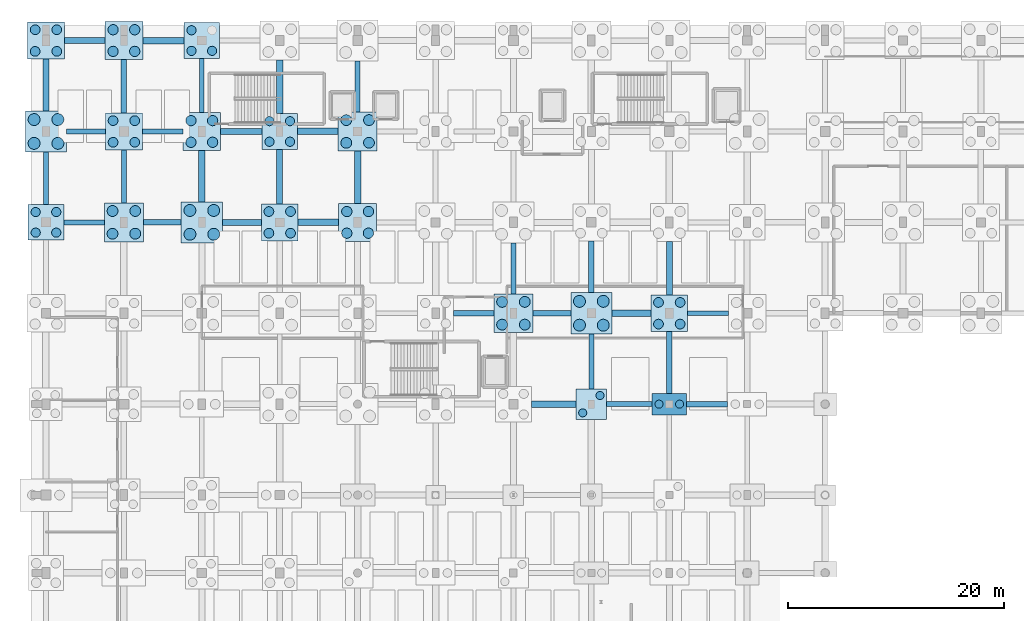
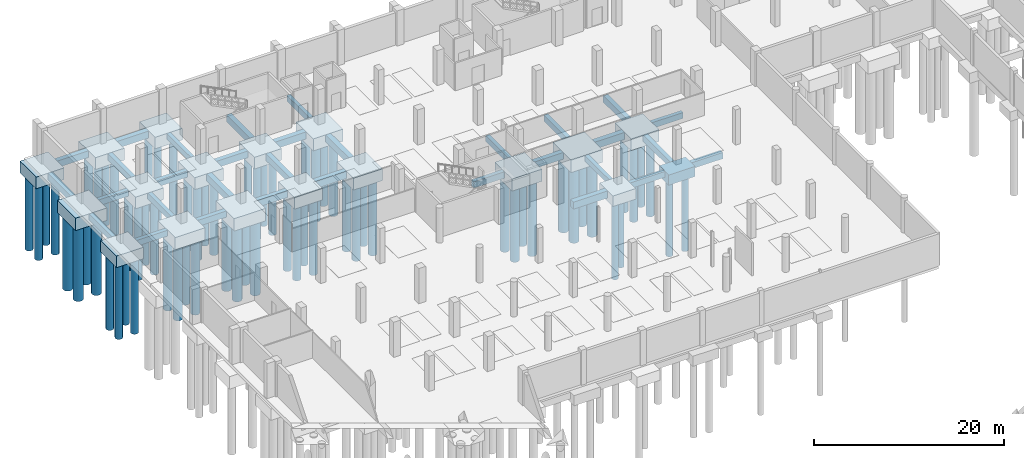
# One storey, part 8 of 35: 67 piles, 50 footings.
"""IFC4 building model written with IfcOpenShell, lengths in metres."""

from ifc_helpers import new_model, si_unit, direction, frame, origin, origin_2d, place, context, subcontext, project, spatial, rectangle, circle, extrude, material, material_profile, profile_set, type_object, element, save


model = new_model("IFC4")

# Units and contexts
model_context = context("Model", 3, precision=1e-05, world=origin(), true_north=direction((0.0, 1.0)))
body_context = subcontext(model_context, "Body", "Model", "MODEL_VIEW")
ifc_project = project(units=[si_unit("LENGTHUNIT", "METRE"), si_unit("AREAUNIT", "SQUARE_METRE"), si_unit("VOLUMEUNIT", "CUBIC_METRE"), si_unit("PLANEANGLEUNIT", "RADIAN"), si_unit("MASSUNIT", "GRAM", prefix="KILO")], contexts=[model_context])

# Site, building, storey
site_placement = place(None, origin())
site = spatial("IfcSite", under=ifc_project, at=site_placement, CompositionType="ELEMENT")
building_placement = place(site_placement, origin())
building = spatial("IfcBuilding", under=site, at=building_placement, Name="Kalluvel Institute of Natural Sciences", CompositionType="ELEMENT")
storey_placement = place(building_placement, frame((0.0, 0.0, -4.5)))
storey = spatial("IfcBuildingStorey", under=building, at=storey_placement, Name="B1", CompositionType="ELEMENT", Elevation=-4.5)

# Footings
ifc_material = material(Name="Concrete M40", Category="concrete")
footing_type_1 = type_object("IfcFootingType", Name="FB-450x750", PredefinedType="FOOTING_BEAM", material=ifc_material)
footing_1_placement = place(storey_placement, frame((67.89990234375, 94.39990234375, -1.199951171875), z_axis=(0.0, 0.0, 1.0), x_axis=(1.0, 0.0, 0.0)))
element("IfcFooting", 1, at=footing_1_placement, inside=storey, type_object=footing_type_1, Name="Foundation tie beam GB-X-108", PredefinedType="FOOTING_BEAM", context=body_context, shape_type="SweptSolid", body=[
    extrude(rectangle(XDim=4.199951171875, YDim=0.449951171875, at=origin_2d()), origin(), (0.0, 0.0, 1.0), 0.75),
])
for number, where, z_axis, x_axis, name in (
    (2, (75.175048828125, 102.800048828125, -1.199951171875), (0.0, 0.0, 1.0), (1.0, 0.0, 0.0), "Foundation tie beam GB-X-120"),
    (3, (17.52490234375, 111.199951171875, -1.199951171875), (0.0, 0.0, 1.0), (1.0, 0.0, 0.0), "Foundation tie beam GB-X-136"),
):
    element("IfcFooting", number, at=place(storey_placement, frame(where, z_axis=z_axis, x_axis=x_axis)), inside=storey, type_object=footing_type_1, Name=name, PredefinedType="FOOTING_BEAM", context=body_context, shape_type="SweptSolid", body=[
        extrude(rectangle(XDim=3.75, YDim=0.449951171875, at=origin_2d()), origin(), (0.0, 0.0, 1.0), 0.75),
    ])
footing_2_placement = place(storey_placement, frame((17.699951171875, 119.60009765625, -1.199951171875), z_axis=(0.0, 0.0, 1.0), x_axis=(1.0, 0.0, 0.0)))
element("IfcFooting", 4, at=footing_2_placement, inside=storey, type_object=footing_type_1, Name="Foundation tie beam GB-X-160", PredefinedType="FOOTING_BEAM", context=body_context, shape_type="SweptSolid", body=[
    extrude(rectangle(XDim=3.60009765625, YDim=0.449951171875, at=origin_2d()), origin(), (0.0, 0.0, 1.0), 0.75),
])
footing_3_placement = place(storey_placement, frame((21.199951171875, 115.449951171875, -1.199951171875), z_axis=(0.0, 0.0, 1.0), x_axis=(1.0, 0.0, 0.0)))
element("IfcFooting", 5, at=footing_3_placement, inside=storey, type_object=footing_type_1, Name="Foundation tie beam GB-Y-224", PredefinedType="FOOTING_BEAM", context=body_context, shape_type="SweptSolid", body=[
    extrude(rectangle(XDim=0.449951171875, YDim=4.89990234375, at=origin_2d()), origin(), (0.0, 0.0, 1.0), 0.75),
])
footing_4_placement = place(storey_placement, frame((28.39990234375, 123.85009765625, -1.199951171875), z_axis=(0.0, 0.0, 1.0), x_axis=(1.0, 0.0, 0.0)))
element("IfcFooting", 6, at=footing_4_placement, inside=storey, type_object=footing_type_1, Name="Foundation tie beam GB-Y-240", PredefinedType="FOOTING_BEAM", context=body_context, shape_type="SweptSolid", body=[
    extrude(rectangle(XDim=0.449951171875, YDim=5.0, at=origin_2d()), origin(), (0.0, 0.0, 1.0), 0.75),
])
for number, where, z_axis, x_axis, name in (
    (7, (42.800048828125, 123.75, -1.199951171875), (0.0, 0.0, 1.0), (1.0, 0.0, 0.0), "Foundation tie beam GB-Y-264"),
    (8, (57.199951171875, 106.949951171875, -1.199951171875), (0.0, 0.0, 1.0), (1.0, 0.0, 0.0), "Foundation tie beam GB-Y-280"),
):
    element("IfcFooting", number, at=place(storey_placement, frame(where, z_axis=z_axis, x_axis=x_axis)), inside=storey, type_object=footing_type_1, Name=name, PredefinedType="FOOTING_BEAM", context=body_context, shape_type="SweptSolid", body=[
        extrude(rectangle(XDim=0.449951171875, YDim=4.699951171875, at=origin_2d()), origin(), (0.0, 0.0, 1.0), 0.75),
    ])
footing_5_placement = place(storey_placement, frame((64.39990234375, 98.35009765625, -1.199951171875), z_axis=(0.0, 0.0, 1.0), x_axis=(1.0, 0.0, 0.0)))
element("IfcFooting", 9, at=footing_5_placement, inside=storey, type_object=footing_type_1, Name="Foundation tie beam GB-Y-288", PredefinedType="FOOTING_BEAM", context=body_context, shape_type="SweptSolid", body=[
    extrude(rectangle(XDim=0.449951171875, YDim=5.10009765625, at=origin_2d()), origin(), (0.0, 0.0, 1.0), 0.75),
])
footing_type_2 = type_object("IfcFootingType", Name="FB-500x800", PredefinedType="FOOTING_BEAM", material=ifc_material)
footing_6_placement = place(storey_placement, frame((75.10009765625, 94.39990234375, -1.25), z_axis=(0.0, 0.0, 1.0), x_axis=(1.0, 0.0, 0.0)))
element("IfcFooting", 10, at=footing_6_placement, inside=storey, type_object=footing_type_2, Name="Foundation tie beam GB-X-109", PredefinedType="FOOTING_BEAM", context=body_context, shape_type="SweptSolid", body=[
    extrude(rectangle(XDim=3.800048828125, YDim=0.5, at=origin_2d()), origin(), (0.0, 0.0, 1.0), 0.800048828125),
])
footing_7_placement = place(storey_placement, frame((53.52490234375, 102.800048828125, -1.25), z_axis=(0.0, 0.0, 1.0), x_axis=(1.0, 0.0, 0.0)))
element("IfcFooting", 11, at=footing_7_placement, inside=storey, type_object=footing_type_2, Name="Foundation tie beam GB-X-117", PredefinedType="FOOTING_BEAM", context=body_context, shape_type="SweptSolid", body=[
    extrude(rectangle(XDim=3.75, YDim=0.5, at=origin_2d()), origin(), (0.0, 0.0, 1.0), 0.800048828125),
])
footing_8_placement = place(storey_placement, frame((24.75, 111.199951171875, -1.25), z_axis=(0.0, 0.0, 1.0), x_axis=(1.0, 0.0, 0.0)))
element("IfcFooting", 12, at=footing_8_placement, inside=storey, type_object=footing_type_2, Name="Foundation tie beam GB-X-137", PredefinedType="FOOTING_BEAM", context=body_context, shape_type="SweptSolid", body=[
    extrude(rectangle(XDim=3.5, YDim=0.5, at=origin_2d()), origin(), (0.0, 0.0, 1.0), 0.800048828125),
])
footing_9_placement = place(storey_placement, frame((24.77490234375, 119.60009765625, -1.25), z_axis=(0.0, 0.0, 1.0), x_axis=(1.0, 0.0, 0.0)))
element("IfcFooting", 13, at=footing_9_placement, inside=storey, type_object=footing_type_2, Name="Foundation tie beam GB-X-161", PredefinedType="FOOTING_BEAM", context=body_context, shape_type="SweptSolid", body=[
    extrude(rectangle(XDim=3.75, YDim=0.5, at=origin_2d()), origin(), (0.0, 0.0, 1.0), 0.800048828125),
])
footing_10_placement = place(storey_placement, frame((14.0, 115.27490234375, -1.25), z_axis=(0.0, 0.0, 1.0), x_axis=(1.0, 0.0, 0.0)))
element("IfcFooting", 14, at=footing_10_placement, inside=storey, type_object=footing_type_2, Name="Foundation tie beam GB-Y-209", PredefinedType="FOOTING_BEAM", context=body_context, shape_type="SweptSolid", body=[
    extrude(rectangle(XDim=0.5, YDim=4.85009765625, at=origin_2d()), origin(), (0.0, 0.0, 1.0), 0.800048828125),
])
footing_11_placement = place(storey_placement, frame((21.199951171875, 123.77490234375, -1.25), z_axis=(0.0, 0.0, 1.0), x_axis=(1.0, 0.0, 0.0)))
element("IfcFooting", 15, at=footing_11_placement, inside=storey, type_object=footing_type_2, Name="Foundation tie beam GB-Y-225", PredefinedType="FOOTING_BEAM", context=body_context, shape_type="SweptSolid", body=[
    extrude(rectangle(XDim=0.5, YDim=4.949951171875, at=origin_2d()), origin(), (0.0, 0.0, 1.0), 0.800048828125),
])
footing_12_placement = place(storey_placement, frame((64.39990234375, 107.10009765625, -1.25), z_axis=(0.0, 0.0, 1.0), x_axis=(1.0, 0.0, 0.0)))
element("IfcFooting", 16, at=footing_12_placement, inside=storey, type_object=footing_type_2, Name="Foundation tie beam GB-Y-289", PredefinedType="FOOTING_BEAM", context=body_context, shape_type="SweptSolid", body=[
    extrude(rectangle(XDim=0.5, YDim=4.800048828125, at=origin_2d()), origin(), (0.0, 0.0, 1.0), 0.800048828125),
])
footing_13_placement = place(storey_placement, frame((71.60009765625, 98.25, -1.25), z_axis=(0.0, 0.0, 1.0), x_axis=(1.0, 0.0, 0.0)))
element("IfcFooting", 17, at=footing_13_placement, inside=storey, type_object=footing_type_2, Name="Foundation tie beam GB-Y-297", PredefinedType="FOOTING_BEAM", context=body_context, shape_type="SweptSolid", body=[
    extrude(rectangle(XDim=0.5, YDim=5.699951171875, at=origin_2d()), origin(), (0.0, 0.0, 1.0), 0.800048828125),
])
footing_type_3 = type_object("IfcFootingType", Name="FB-550x850", PredefinedType="FOOTING_BEAM", material=ifc_material)
footing_14_placement = place(storey_placement, frame((60.75, 102.800048828125, -1.300048828125), z_axis=(0.0, 0.0, 1.0), x_axis=(1.0, 0.0, 0.0)))
element("IfcFooting", 18, at=footing_14_placement, inside=storey, type_object=footing_type_3, Name="Foundation tie beam GB-X-118", PredefinedType="FOOTING_BEAM", context=body_context, shape_type="SweptSolid", body=[
    extrude(rectangle(XDim=3.5, YDim=0.550048828125, at=origin_2d()), origin(), (0.0, 0.0, 1.0), 0.85009765625),
])
footing_15_placement = place(storey_placement, frame((32.10009765625, 111.199951171875, -1.300048828125), z_axis=(0.0, 0.0, 1.0), x_axis=(1.0, 0.0, 0.0)))
element("IfcFooting", 19, at=footing_15_placement, inside=storey, type_object=footing_type_3, Name="Foundation tie beam GB-X-138", PredefinedType="FOOTING_BEAM", context=body_context, shape_type="SweptSolid", body=[
    extrude(rectangle(XDim=3.60009765625, YDim=0.550048828125, at=origin_2d()), origin(), (0.0, 0.0, 1.0), 0.85009765625),
])
footing_16_placement = place(storey_placement, frame((32.050048828125, 119.60009765625, -1.300048828125), z_axis=(0.0, 0.0, 1.0), x_axis=(1.0, 0.0, 0.0)))
element("IfcFooting", 20, at=footing_16_placement, inside=storey, type_object=footing_type_3, Name="Foundation tie beam GB-X-162", PredefinedType="FOOTING_BEAM", context=body_context, shape_type="SweptSolid", body=[
    extrude(rectangle(XDim=3.800048828125, YDim=0.550048828125, at=origin_2d()), origin(), (0.0, 0.0, 1.0), 0.85009765625),
])
footing_17_placement = place(storey_placement, frame((17.574951171875, 128.0, -1.300048828125), z_axis=(0.0, 0.0, 1.0), x_axis=(1.0, 0.0, 0.0)))
element("IfcFooting", 21, at=footing_17_placement, inside=storey, type_object=footing_type_3, Name="Foundation tie beam GB-X-182", PredefinedType="FOOTING_BEAM", context=body_context, shape_type="SweptSolid", body=[
    extrude(rectangle(XDim=3.75, YDim=0.550048828125, at=origin_2d()), origin(), (0.0, 0.0, 1.0), 0.85009765625),
])
footing_18_placement = place(storey_placement, frame((14.0, 123.89990234375, -1.300048828125), z_axis=(0.0, 0.0, 1.0), x_axis=(1.0, 0.0, 0.0)))
element("IfcFooting", 22, at=footing_18_placement, inside=storey, type_object=footing_type_3, Name="Foundation tie beam GB-Y-210", PredefinedType="FOOTING_BEAM", context=body_context, shape_type="SweptSolid", body=[
    extrude(rectangle(XDim=0.550048828125, YDim=4.800048828125, at=origin_2d()), origin(), (0.0, 0.0, 1.0), 0.85009765625),
])
footing_19_placement = place(storey_placement, frame((35.60009765625, 115.425048828125, -1.300048828125), z_axis=(0.0, 0.0, 1.0), x_axis=(1.0, 0.0, 0.0)))
element("IfcFooting", 23, at=footing_19_placement, inside=storey, type_object=footing_type_3, Name="Foundation tie beam GB-Y-254", PredefinedType="FOOTING_BEAM", context=body_context, shape_type="SweptSolid", body=[
    extrude(rectangle(XDim=0.550048828125, YDim=5.050048828125, at=origin_2d()), origin(), (0.0, 0.0, 1.0), 0.85009765625),
])
footing_20_placement = place(storey_placement, frame((71.60009765625, 106.97509765625, -1.300048828125), z_axis=(0.0, 0.0, 1.0), x_axis=(1.0, 0.0, 0.0)))
element("IfcFooting", 24, at=footing_20_placement, inside=storey, type_object=footing_type_3, Name="Foundation tie beam GB-Y-298", PredefinedType="FOOTING_BEAM", context=body_context, shape_type="SweptSolid", body=[
    extrude(rectangle(XDim=0.550048828125, YDim=4.949951171875, at=origin_2d()), origin(), (0.0, 0.0, 1.0), 0.85009765625),
])
footing_type_4 = type_object("IfcFootingType", Name="FB-600x900", PredefinedType="FOOTING_BEAM", material=ifc_material)
footing_21_placement = place(storey_placement, frame((60.925048828125, 94.39990234375, -1.349853515625), z_axis=(0.0, 0.0, 1.0), x_axis=(1.0, 0.0, 0.0)))
element("IfcFooting", 25, at=footing_21_placement, inside=storey, type_object=footing_type_4, Name="Foundation tie beam GB-X-107", PredefinedType="FOOTING_BEAM", context=body_context, shape_type="SweptSolid", body=[
    extrude(rectangle(XDim=4.14990234375, YDim=0.60009765625, at=origin_2d()), origin(), (0.0, 0.0, 1.0), 0.89990234375),
])
footing_22_placement = place(storey_placement, frame((68.10009765625, 102.800048828125, -1.349853515625), z_axis=(0.0, 0.0, 1.0), x_axis=(1.0, 0.0, 0.0)))
element("IfcFooting", 26, at=footing_22_placement, inside=storey, type_object=footing_type_4, Name="Foundation tie beam GB-X-119", PredefinedType="FOOTING_BEAM", context=body_context, shape_type="SweptSolid", body=[
    extrude(rectangle(XDim=3.60009765625, YDim=0.60009765625, at=origin_2d()), origin(), (0.0, 0.0, 1.0), 0.89990234375),
])
for number, where, z_axis, x_axis, name in (
    (27, (39.175048828125, 111.199951171875, -1.349853515625), (0.0, 0.0, 1.0), (1.0, 0.0, 0.0), "Foundation tie beam GB-X-139"),
    (28, (39.125, 119.60009765625, -1.349853515625), (0.0, 0.0, 1.0), (1.0, 0.0, 0.0), "Foundation tie beam GB-X-163"),
):
    element("IfcFooting", number, at=place(storey_placement, frame(where, z_axis=z_axis, x_axis=x_axis)), inside=storey, type_object=footing_type_4, Name=name, PredefinedType="FOOTING_BEAM", context=body_context, shape_type="SweptSolid", body=[
        extrude(rectangle(XDim=3.75, YDim=0.60009765625, at=origin_2d()), origin(), (0.0, 0.0, 1.0), 0.89990234375),
    ])
footing_23_placement = place(storey_placement, frame((24.85009765625, 128.0, -1.349853515625), z_axis=(0.0, 0.0, 1.0), x_axis=(1.0, 0.0, 0.0)))
element("IfcFooting", 29, at=footing_23_placement, inside=storey, type_object=footing_type_4, Name="Foundation tie beam GB-X-183", PredefinedType="FOOTING_BEAM", context=body_context, shape_type="SweptSolid", body=[
    extrude(rectangle(XDim=3.800048828125, YDim=0.60009765625, at=origin_2d()), origin(), (0.0, 0.0, 1.0), 0.89990234375),
])
footing_24_placement = place(storey_placement, frame((28.39990234375, 115.47509765625, -1.349853515625), z_axis=(0.0, 0.0, 1.0), x_axis=(1.0, 0.0, 0.0)))
element("IfcFooting", 30, at=footing_24_placement, inside=storey, type_object=footing_type_4, Name="Foundation tie beam GB-Y-239", PredefinedType="FOOTING_BEAM", context=body_context, shape_type="SweptSolid", body=[
    extrude(rectangle(XDim=0.60009765625, YDim=4.75, at=origin_2d()), origin(), (0.0, 0.0, 1.0), 0.89990234375),
])
footing_25_placement = place(storey_placement, frame((35.60009765625, 123.72509765625, -1.349853515625), z_axis=(0.0, 0.0, 1.0), x_axis=(1.0, 0.0, 0.0)))
element("IfcFooting", 31, at=footing_25_placement, inside=storey, type_object=footing_type_4, Name="Foundation tie beam GB-Y-255", PredefinedType="FOOTING_BEAM", context=body_context, shape_type="SweptSolid", body=[
    extrude(rectangle(XDim=0.60009765625, YDim=4.949951171875, at=origin_2d()), origin(), (0.0, 0.0, 1.0), 0.89990234375),
])
footing_26_placement = place(storey_placement, frame((42.800048828125, 115.375, -1.349853515625), z_axis=(0.0, 0.0, 1.0), x_axis=(1.0, 0.0, 0.0)))
element("IfcFooting", 32, at=footing_26_placement, inside=storey, type_object=footing_type_4, Name="Foundation tie beam GB-Y-263", PredefinedType="FOOTING_BEAM", context=body_context, shape_type="SweptSolid", body=[
    extrude(rectangle(XDim=0.60009765625, YDim=4.85009765625, at=origin_2d()), origin(), (0.0, 0.0, 1.0), 0.89990234375),
])
footing_type_5 = type_object("IfcFootingType", Name="PC-2800x2800x1350", PredefinedType="PILE_CAP", material=ifc_material)
footing_27_placement = place(storey_placement, frame((64.39990234375, 94.39990234375, -1.800048828125), z_axis=(0.0, 0.0, 1.0), x_axis=(1.0, 0.0, 0.0)))
element("IfcFooting", 33, at=footing_27_placement, inside=storey, type_object=footing_type_5, Name="Pile cap CAP-104", PredefinedType="PILE_CAP", context=body_context, shape_type="SweptSolid", body=[
    extrude(rectangle(XDim=2.800048828125, YDim=2.800048828125, at=origin_2d()), origin(), (0.0, 0.0, 1.0), 1.35009765625),
])
footing_type_6 = type_object("IfcFootingType", Name="PC-3200x2000x1300", PredefinedType="PILE_CAP", material=ifc_material)
footing_28_placement = place(storey_placement, frame((71.60009765625, 94.39990234375, -1.75), z_axis=(0.0, 0.0, 1.0), x_axis=(1.0, 0.0, 0.0)))
element("IfcFooting", 34, at=footing_28_placement, inside=storey, type_object=footing_type_6, Name="Pile cap CAP-115", PredefinedType="PILE_CAP", context=body_context, shape_type="SweptSolid", body=[
    extrude(rectangle(XDim=3.199951171875, YDim=2.0, at=origin_2d()), origin(), (0.0, 0.0, 1.0), 1.300048828125),
])
footing_type_7 = type_object("IfcFootingType", Name="PC-3300x3300x1480", PredefinedType="PILE_CAP", material=ifc_material)
for number, where, z_axis, x_axis, name in (
    (35, (14.0, 111.199951171875, -1.929931640625), (0.0, 0.0, 1.0), (1.0, 0.0, 0.0), "Pile cap CAP-014"),
    (36, (28.39990234375, 128.0, -1.929931640625), (0.0, 0.0, 1.0), (1.0, 0.0, 0.0), "Pile cap CAP-048"),
    (37, (35.60009765625, 119.60009765625, -1.929931640625), (0.0, 0.0, 1.0), (1.0, 0.0, 0.0), "Pile cap CAP-063"),
):
    element("IfcFooting", number, at=place(storey_placement, frame(where, z_axis=z_axis, x_axis=x_axis)), inside=storey, type_object=footing_type_7, Name=name, PredefinedType="PILE_CAP", context=body_context, shape_type="SweptSolid", body=[
        extrude(rectangle(XDim=3.300048828125, YDim=3.300048828125, at=origin_2d()), origin(), (0.0, 0.0, 1.0), 1.47998046875),
    ])
footing_type_8 = type_object("IfcFootingType", Name="PC-3400x3400x1500", PredefinedType="PILE_CAP", material=ifc_material)
for number, where, z_axis, x_axis, name in (
    (38, (14.0, 128.0, -1.949951171875), (0.0, 0.0, 1.0), (1.0, 0.0, 0.0), "Pile cap CAP-016"),
    (39, (21.199951171875, 119.60009765625, -1.949951171875), (0.0, 0.0, 1.0), (1.0, 0.0, 0.0), "Pile cap CAP-031"),
    (40, (35.60009765625, 111.199951171875, -1.949951171875), (0.0, 0.0, 1.0), (1.0, 0.0, 0.0), "Pile cap CAP-062"),
    (41, (71.60009765625, 102.800048828125, -1.949951171875), (0.0, 0.0, 1.0), (1.0, 0.0, 0.0), "Pile cap CAP-116"),
):
    element("IfcFooting", number, at=place(storey_placement, frame(where, z_axis=z_axis, x_axis=x_axis)), inside=storey, type_object=footing_type_8, Name=name, PredefinedType="PILE_CAP", context=body_context, shape_type="SweptSolid", body=[
        extrude(rectangle(XDim=3.39990234375, YDim=3.39990234375, at=origin_2d()), origin(), (0.0, 0.0, 1.0), 1.5),
    ])
footing_type_9 = type_object("IfcFootingType", Name="PC-3500x3500x1520", PredefinedType="PILE_CAP", material=ifc_material)
for number, where, z_axis, x_axis, name in (
    (42, (21.199951171875, 128.0, -1.969970703125), (0.0, 0.0, 1.0), (1.0, 0.0, 0.0), "Pile cap CAP-032"),
    (43, (28.39990234375, 119.60009765625, -1.969970703125), (0.0, 0.0, 1.0), (1.0, 0.0, 0.0), "Pile cap CAP-047"),
    (44, (42.800048828125, 111.199951171875, -1.969970703125), (0.0, 0.0, 1.0), (1.0, 0.0, 0.0), "Pile cap CAP-073"),
):
    element("IfcFooting", number, at=place(storey_placement, frame(where, z_axis=z_axis, x_axis=x_axis)), inside=storey, type_object=footing_type_9, Name=name, PredefinedType="PILE_CAP", context=body_context, shape_type="SweptSolid", body=[
        extrude(rectangle(XDim=3.5, YDim=3.5, at=origin_2d()), origin(), (0.0, 0.0, 1.0), 1.52001953125),
    ])
footing_type_10 = type_object("IfcFootingType", Name="PC-3600x3600x1550", PredefinedType="PILE_CAP", material=ifc_material)
for number, where, z_axis, x_axis, name in (
    (45, (21.199951171875, 111.199951171875, -2.0), (0.0, 0.0, 1.0), (1.0, 0.0, 0.0), "Pile cap CAP-030"),
    (46, (42.800048828125, 119.60009765625, -2.0), (0.0, 0.0, 1.0), (1.0, 0.0, 0.0), "Pile cap CAP-074"),
    (47, (57.199951171875, 102.800048828125, -2.0), (0.0, 0.0, 1.0), (1.0, 0.0, 0.0), "Pile cap CAP-094"),
):
    element("IfcFooting", number, at=place(storey_placement, frame(where, z_axis=z_axis, x_axis=x_axis)), inside=storey, type_object=footing_type_10, Name=name, PredefinedType="PILE_CAP", context=body_context, shape_type="SweptSolid", body=[
        extrude(rectangle(XDim=3.60009765625, YDim=3.60009765625, at=origin_2d()), origin(), (0.0, 0.0, 1.0), 1.550048828125),
    ])
footing_type_11 = type_object("IfcFootingType", Name="PC-3800x3800x1600", PredefinedType="PILE_CAP", material=ifc_material)
for number, where, z_axis, x_axis, name in (
    (48, (14.0, 119.60009765625, -2.050048828125), (0.0, 0.0, 1.0), (1.0, 0.0, 0.0), "Pile cap CAP-015"),
    (49, (28.39990234375, 111.199951171875, -2.050048828125), (0.0, 0.0, 1.0), (1.0, 0.0, 0.0), "Pile cap CAP-046"),
    (50, (64.39990234375, 102.800048828125, -2.050048828125), (0.0, 0.0, 1.0), (1.0, 0.0, 0.0), "Pile cap CAP-105"),
):
    element("IfcFooting", number, at=place(storey_placement, frame(where, z_axis=z_axis, x_axis=x_axis)), inside=storey, type_object=footing_type_11, Name=name, PredefinedType="PILE_CAP", context=body_context, shape_type="SweptSolid", body=[
        extrude(rectangle(XDim=3.800048828125, YDim=3.800048828125, at=origin_2d()), origin(), (0.0, 0.0, 1.0), 1.60009765625),
    ])

# Piles
ifc_material_profile_1 = material_profile(ifc_material, circle(Radius=0.5, at=origin_2d()), Name="PILE D1000")
ifc_profile_set_1 = profile_set([ifc_material_profile_1], Name="Concrete M40")
pile_type_1 = type_object("IfcPileType", Name="PILE-D1000", PredefinedType="BORED", material=ifc_profile_set_1)
for number, where, z_axis, x_axis, name in (
    (51, (20.14990234375, 110.14990234375, -1.8798828125), (0.0, 0.0, -1.0), (1.0, 0.0, 0.0), "Bored rock-socketed pile PILE-X2015-Y11015"),
    (52, (22.25, 110.14990234375, -1.8798828125), (0.0, 0.0, -1.0), (1.0, 0.0, 0.0), "Bored rock-socketed pile PILE-X2225-Y11015"),
    (53, (20.14990234375, 112.25, -1.8798828125), (0.0, 0.0, -1.0), (1.0, 0.0, 0.0), "Bored rock-socketed pile PILE-X2015-Y11225"),
    (54, (22.25, 112.25, -1.8798828125), (0.0, 0.0, -1.0), (1.0, 0.0, 0.0), "Bored rock-socketed pile PILE-X2225-Y11225"),
    (55, (41.75, 118.550048828125, -1.8798828125), (0.0, 0.0, -1.0), (1.0, 0.0, 0.0), "Bored rock-socketed pile PILE-X4175-Y11855"),
    (56, (43.85009765625, 118.550048828125, -1.8798828125), (0.0, 0.0, -1.0), (1.0, 0.0, 0.0), "Bored rock-socketed pile PILE-X4385-Y11855"),
    (57, (41.75, 120.64990234375, -1.8798828125), (0.0, 0.0, -1.0), (1.0, 0.0, 0.0), "Bored rock-socketed pile PILE-X4175-Y12065"),
    (58, (43.85009765625, 120.64990234375, -1.8798828125), (0.0, 0.0, -1.0), (1.0, 0.0, 0.0), "Bored rock-socketed pile PILE-X4385-Y12065"),
    (59, (56.14990234375, 101.75, -1.8798828125), (0.0, 0.0, -1.0), (1.0, 0.0, 0.0), "Bored rock-socketed pile PILE-X5615-Y10175"),
    (60, (58.25, 101.75, -1.8798828125), (0.0, 0.0, -1.0), (1.0, 0.0, 0.0), "Bored rock-socketed pile PILE-X5825-Y10175"),
    (61, (56.14990234375, 103.85009765625, -1.8798828125), (0.0, 0.0, -1.0), (1.0, 0.0, 0.0), "Bored rock-socketed pile PILE-X5615-Y10385"),
    (62, (58.25, 103.85009765625, -1.8798828125), (0.0, 0.0, -1.0), (1.0, 0.0, 0.0), "Bored rock-socketed pile PILE-X5825-Y10385"),
):
    element("IfcPile", number, at=place(storey_placement, frame(where, z_axis=z_axis, x_axis=x_axis)), inside=storey, type_object=pile_type_1, Name=name, PredefinedType="BORED", context=body_context, shape_type="SweptSolid", body=[
        extrude(circle(Radius=0.5, at=origin_2d()), origin(), (0.0, 0.0, 1.0), 9.6201171875),
    ])
ifc_material_profile_2 = material_profile(ifc_material, circle(Radius=0.550048828125, at=origin_2d()), Name="PILE D1100")
ifc_profile_set_2 = profile_set([ifc_material_profile_2], Name="Concrete M40")
pile_type_2 = type_object("IfcPileType", Name="PILE-D1100", PredefinedType="BORED", material=ifc_profile_set_2)
for number, where, z_axis, x_axis, name in (
    (63, (12.89990234375, 118.5, -1.929931640625), (0.0, 0.0, -1.0), (1.0, 0.0, 0.0), "Bored rock-socketed pile PILE-X1290-Y11850"),
    (64, (15.10009765625, 118.5, -1.929931640625), (0.0, 0.0, -1.0), (1.0, 0.0, 0.0), "Bored rock-socketed pile PILE-X1510-Y11850"),
    (65, (12.89990234375, 120.699951171875, -1.929931640625), (0.0, 0.0, -1.0), (1.0, 0.0, 0.0), "Bored rock-socketed pile PILE-X1290-Y12070"),
    (66, (15.10009765625, 120.699951171875, -1.929931640625), (0.0, 0.0, -1.0), (1.0, 0.0, 0.0), "Bored rock-socketed pile PILE-X1510-Y12070"),
    (67, (27.300048828125, 110.10009765625, -1.929931640625), (0.0, 0.0, -1.0), (1.0, 0.0, 0.0), "Bored rock-socketed pile PILE-X2730-Y11010"),
    (68, (29.5, 110.10009765625, -1.929931640625), (0.0, 0.0, -1.0), (1.0, 0.0, 0.0), "Bored rock-socketed pile PILE-X2950-Y11010"),
    (69, (27.300048828125, 112.300048828125, -1.929931640625), (0.0, 0.0, -1.0), (1.0, 0.0, 0.0), "Bored rock-socketed pile PILE-X2730-Y11230"),
    (70, (29.5, 112.300048828125, -1.929931640625), (0.0, 0.0, -1.0), (1.0, 0.0, 0.0), "Bored rock-socketed pile PILE-X2950-Y11230"),
    (71, (63.300048828125, 101.699951171875, -1.929931640625), (0.0, 0.0, -1.0), (1.0, 0.0, 0.0), "Bored rock-socketed pile PILE-X6330-Y10170"),
    (72, (65.5, 101.699951171875, -1.929931640625), (0.0, 0.0, -1.0), (1.0, 0.0, 0.0), "Bored rock-socketed pile PILE-X6550-Y10170"),
    (73, (63.300048828125, 103.89990234375, -1.929931640625), (0.0, 0.0, -1.0), (1.0, 0.0, 0.0), "Bored rock-socketed pile PILE-X6330-Y10390"),
    (74, (65.5, 103.89990234375, -1.929931640625), (0.0, 0.0, -1.0), (1.0, 0.0, 0.0), "Bored rock-socketed pile PILE-X6550-Y10390"),
):
    element("IfcPile", number, at=place(storey_placement, frame(where, z_axis=z_axis, x_axis=x_axis)), inside=storey, type_object=pile_type_2, Name=name, PredefinedType="BORED", context=body_context, shape_type="SweptSolid", body=[
        extrude(circle(Radius=0.550048828125, at=origin_2d()), origin(), (0.0, 0.0, 1.0), 9.570068359375),
    ])
ifc_material_profile_3 = material_profile(ifc_material, circle(Radius=0.375, at=origin_2d()), Name="PILE D750")
ifc_profile_set_3 = profile_set([ifc_material_profile_3], Name="Concrete M40")
pile_type_3 = type_object("IfcPileType", Name="PILE-D750", PredefinedType="BORED", material=ifc_profile_set_3)
for number, where, z_axis, x_axis, name in (
    (75, (63.60009765625, 93.60009765625, -1.679931640625), (0.0, 0.0, -1.0), (1.0, 0.0, 0.0), "Bored rock-socketed pile PILE-X6360-Y9360"),
    (76, (65.199951171875, 95.199951171875, -1.679931640625), (0.0, 0.0, -1.0), (1.0, 0.0, 0.0), "Bored rock-socketed pile PILE-X6520-Y9520"),
):
    element("IfcPile", number, at=place(storey_placement, frame(where, z_axis=z_axis, x_axis=x_axis)), inside=storey, type_object=pile_type_3, Name=name, PredefinedType="BORED", context=body_context, shape_type="SweptSolid", body=[
        extrude(circle(Radius=0.375, at=origin_2d()), origin(), (0.0, 0.0, 1.0), 9.820068359375),
    ])
for number, where, z_axis, x_axis, name in (
    (77, (70.64990234375, 94.39990234375, -1.6298828125), (0.0, 0.0, -1.0), (1.0, 0.0, 0.0), "Bored rock-socketed pile PILE-X7065-Y9440"),
    (78, (72.550048828125, 94.39990234375, -1.6298828125), (0.0, 0.0, -1.0), (1.0, 0.0, 0.0), "Bored rock-socketed pile PILE-X7255-Y9440"),
):
    element("IfcPile", number, at=place(storey_placement, frame(where, z_axis=z_axis, x_axis=x_axis)), inside=storey, type_object=pile_type_3, Name=name, PredefinedType="BORED", context=body_context, shape_type="SweptSolid", body=[
        extrude(circle(Radius=0.375, at=origin_2d()), origin(), (0.0, 0.0, 1.0), 9.8701171875),
    ])
ifc_material_profile_4 = material_profile(ifc_material, circle(Radius=0.425048828125, at=origin_2d()), Name="PILE D850")
ifc_profile_set_4 = profile_set([ifc_material_profile_4], Name="Concrete M40")
pile_type_4 = type_object("IfcPileType", Name="PILE-D850", PredefinedType="BORED", material=ifc_profile_set_4)
for number, where, z_axis, x_axis, name in (
    (79, (13.050048828125, 110.25, -1.81005859375), (0.0, 0.0, -1.0), (1.0, 0.0, 0.0), "Bored rock-socketed pile PILE-X1305-Y11025"),
    (80, (14.949951171875, 110.25, -1.81005859375), (0.0, 0.0, -1.0), (1.0, 0.0, 0.0), "Bored rock-socketed pile PILE-X1495-Y11025"),
    (81, (13.050048828125, 112.14990234375, -1.81005859375), (0.0, 0.0, -1.0), (1.0, 0.0, 0.0), "Bored rock-socketed pile PILE-X1305-Y11215"),
    (82, (14.949951171875, 112.14990234375, -1.81005859375), (0.0, 0.0, -1.0), (1.0, 0.0, 0.0), "Bored rock-socketed pile PILE-X1495-Y11215"),
    (83, (27.449951171875, 127.050048828125, -1.81005859375), (0.0, 0.0, -1.0), (1.0, 0.0, 0.0), "Bored rock-socketed pile PILE-X2745-Y12705"),
    (84, (29.35009765625, 127.050048828125, -1.81005859375), (0.0, 0.0, -1.0), (1.0, 0.0, 0.0), "Bored rock-socketed pile PILE-X2935-Y12705"),
    (85, (27.449951171875, 128.949951171875, -1.81005859375), (0.0, 0.0, -1.0), (1.0, 0.0, 0.0), "Bored rock-socketed pile PILE-X2745-Y12895"),
    (86, (34.64990234375, 118.64990234375, -1.81005859375), (0.0, 0.0, -1.0), (1.0, 0.0, 0.0), "Bored rock-socketed pile PILE-X3465-Y11865"),
    (87, (36.550048828125, 118.64990234375, -1.81005859375), (0.0, 0.0, -1.0), (1.0, 0.0, 0.0), "Bored rock-socketed pile PILE-X3655-Y11865"),
    (88, (34.64990234375, 120.550048828125, -1.81005859375), (0.0, 0.0, -1.0), (1.0, 0.0, 0.0), "Bored rock-socketed pile PILE-X3465-Y12055"),
    (89, (36.550048828125, 120.550048828125, -1.81005859375), (0.0, 0.0, -1.0), (1.0, 0.0, 0.0), "Bored rock-socketed pile PILE-X3655-Y12055"),
):
    element("IfcPile", number, at=place(storey_placement, frame(where, z_axis=z_axis, x_axis=x_axis)), inside=storey, type_object=pile_type_4, Name=name, PredefinedType="BORED", context=body_context, shape_type="SweptSolid", body=[
        extrude(circle(Radius=0.425048828125, at=origin_2d()), origin(), (0.0, 0.0, 1.0), 9.68994140625),
    ])
ifc_material_profile_5 = material_profile(ifc_material, circle(Radius=0.449951171875, at=origin_2d()), Name="PILE D900")
ifc_profile_set_5 = profile_set([ifc_material_profile_5], Name="Concrete M40")
pile_type_5 = type_object("IfcPileType", Name="PILE-D900", PredefinedType="BORED", material=ifc_profile_set_5)
for number, where, z_axis, x_axis, name in (
    (90, (13.0, 127.0, -1.830078125), (0.0, 0.0, -1.0), (1.0, 0.0, 0.0), "Bored rock-socketed pile PILE-X1300-Y12700"),
    (91, (15.0, 127.0, -1.830078125), (0.0, 0.0, -1.0), (1.0, 0.0, 0.0), "Bored rock-socketed pile PILE-X1500-Y12700"),
    (92, (13.0, 129.0, -1.830078125), (0.0, 0.0, -1.0), (1.0, 0.0, 0.0), "Bored rock-socketed pile PILE-X1300-Y12900"),
    (93, (15.0, 129.0, -1.830078125), (0.0, 0.0, -1.0), (1.0, 0.0, 0.0), "Bored rock-socketed pile PILE-X1500-Y12900"),
    (94, (20.199951171875, 118.60009765625, -1.830078125), (0.0, 0.0, -1.0), (1.0, 0.0, 0.0), "Bored rock-socketed pile PILE-X2020-Y11860"),
    (95, (22.199951171875, 118.60009765625, -1.830078125), (0.0, 0.0, -1.0), (1.0, 0.0, 0.0), "Bored rock-socketed pile PILE-X2220-Y11860"),
    (96, (20.199951171875, 120.60009765625, -1.830078125), (0.0, 0.0, -1.0), (1.0, 0.0, 0.0), "Bored rock-socketed pile PILE-X2020-Y12060"),
    (97, (22.199951171875, 120.60009765625, -1.830078125), (0.0, 0.0, -1.0), (1.0, 0.0, 0.0), "Bored rock-socketed pile PILE-X2220-Y12060"),
    (98, (34.60009765625, 110.199951171875, -1.830078125), (0.0, 0.0, -1.0), (1.0, 0.0, 0.0), "Bored rock-socketed pile PILE-X3460-Y11020"),
    (99, (36.60009765625, 110.199951171875, -1.830078125), (0.0, 0.0, -1.0), (1.0, 0.0, 0.0), "Bored rock-socketed pile PILE-X3660-Y11020"),
    (100, (34.60009765625, 112.199951171875, -1.830078125), (0.0, 0.0, -1.0), (1.0, 0.0, 0.0), "Bored rock-socketed pile PILE-X3460-Y11220"),
    (101, (36.60009765625, 112.199951171875, -1.830078125), (0.0, 0.0, -1.0), (1.0, 0.0, 0.0), "Bored rock-socketed pile PILE-X3660-Y11220"),
    (102, (70.60009765625, 101.800048828125, -1.830078125), (0.0, 0.0, -1.0), (1.0, 0.0, 0.0), "Bored rock-socketed pile PILE-X7060-Y10180"),
    (103, (72.60009765625, 101.800048828125, -1.830078125), (0.0, 0.0, -1.0), (1.0, 0.0, 0.0), "Bored rock-socketed pile PILE-X7260-Y10180"),
    (104, (70.60009765625, 103.800048828125, -1.830078125), (0.0, 0.0, -1.0), (1.0, 0.0, 0.0), "Bored rock-socketed pile PILE-X7060-Y10380"),
    (105, (72.60009765625, 103.800048828125, -1.830078125), (0.0, 0.0, -1.0), (1.0, 0.0, 0.0), "Bored rock-socketed pile PILE-X7260-Y10380"),
):
    element("IfcPile", number, at=place(storey_placement, frame(where, z_axis=z_axis, x_axis=x_axis)), inside=storey, type_object=pile_type_5, Name=name, PredefinedType="BORED", context=body_context, shape_type="SweptSolid", body=[
        extrude(circle(Radius=0.449951171875, at=origin_2d()), origin(), (0.0, 0.0, 1.0), 9.669921875),
    ])
ifc_material_profile_6 = material_profile(ifc_material, circle(Radius=0.47509765625, at=origin_2d()), Name="PILE D950")
ifc_profile_set_6 = profile_set([ifc_material_profile_6], Name="Concrete M40")
pile_type_6 = type_object("IfcPileType", Name="PILE-D950", PredefinedType="BORED", material=ifc_profile_set_6)
for number, where, z_axis, x_axis, name in (
    (106, (20.199951171875, 127.0, -1.85009765625), (0.0, 0.0, -1.0), (1.0, 0.0, 0.0), "Bored rock-socketed pile PILE-X2020-Y12700"),
    (107, (22.199951171875, 127.0, -1.85009765625), (0.0, 0.0, -1.0), (1.0, 0.0, 0.0), "Bored rock-socketed pile PILE-X2220-Y12700"),
    (108, (20.199951171875, 129.0, -1.85009765625), (0.0, 0.0, -1.0), (1.0, 0.0, 0.0), "Bored rock-socketed pile PILE-X2020-Y12900"),
    (109, (22.199951171875, 129.0, -1.85009765625), (0.0, 0.0, -1.0), (1.0, 0.0, 0.0), "Bored rock-socketed pile PILE-X2220-Y12900"),
    (110, (27.39990234375, 118.60009765625, -1.85009765625), (0.0, 0.0, -1.0), (1.0, 0.0, 0.0), "Bored rock-socketed pile PILE-X2740-Y11860"),
    (111, (29.39990234375, 118.60009765625, -1.85009765625), (0.0, 0.0, -1.0), (1.0, 0.0, 0.0), "Bored rock-socketed pile PILE-X2940-Y11860"),
    (112, (27.39990234375, 120.60009765625, -1.85009765625), (0.0, 0.0, -1.0), (1.0, 0.0, 0.0), "Bored rock-socketed pile PILE-X2740-Y12060"),
    (113, (29.39990234375, 120.60009765625, -1.85009765625), (0.0, 0.0, -1.0), (1.0, 0.0, 0.0), "Bored rock-socketed pile PILE-X2940-Y12060"),
    (114, (41.800048828125, 110.199951171875, -1.85009765625), (0.0, 0.0, -1.0), (1.0, 0.0, 0.0), "Bored rock-socketed pile PILE-X4180-Y11020"),
    (115, (43.800048828125, 110.199951171875, -1.85009765625), (0.0, 0.0, -1.0), (1.0, 0.0, 0.0), "Bored rock-socketed pile PILE-X4380-Y11020"),
    (116, (41.800048828125, 112.199951171875, -1.85009765625), (0.0, 0.0, -1.0), (1.0, 0.0, 0.0), "Bored rock-socketed pile PILE-X4180-Y11220"),
    (117, (43.800048828125, 112.199951171875, -1.85009765625), (0.0, 0.0, -1.0), (1.0, 0.0, 0.0), "Bored rock-socketed pile PILE-X4380-Y11220"),
):
    element("IfcPile", number, at=place(storey_placement, frame(where, z_axis=z_axis, x_axis=x_axis)), inside=storey, type_object=pile_type_6, Name=name, PredefinedType="BORED", context=body_context, shape_type="SweptSolid", body=[
        extrude(circle(Radius=0.47509765625, at=origin_2d()), origin(), (0.0, 0.0, 1.0), 9.64990234375),
    ])

save(model, "model.ifc")
